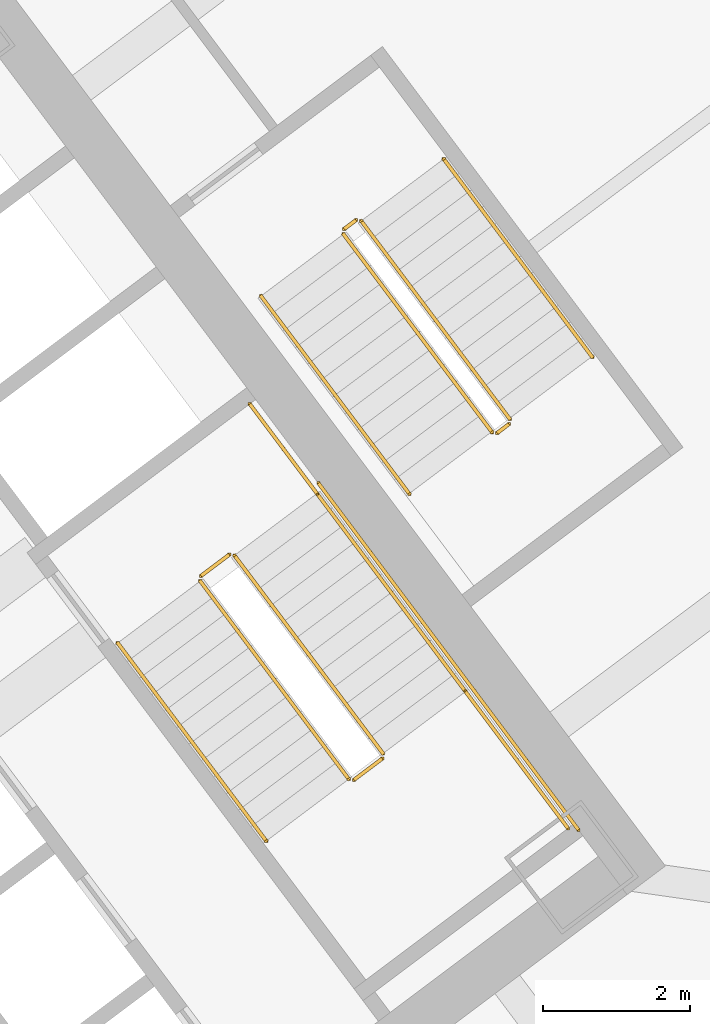
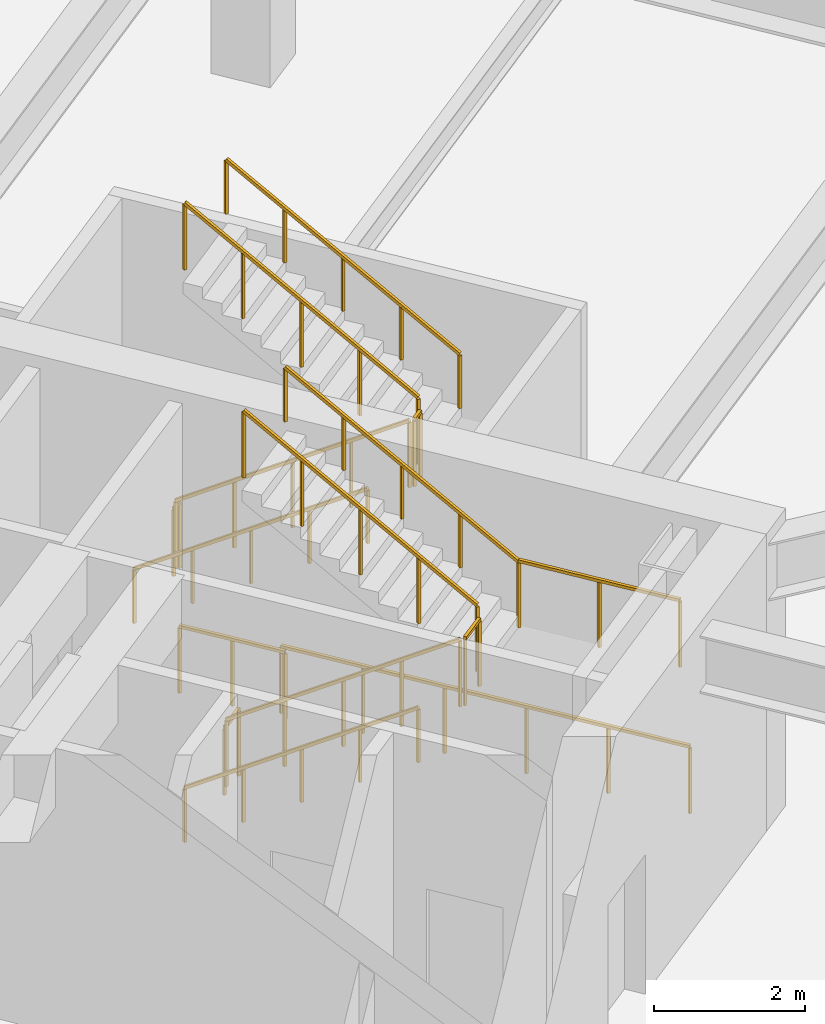
# One storey, part 20 of 21: 15 railings.
"""IFC4 building model written with IfcOpenShell, lengths in metres."""

from ifc_helpers import new_model, si_unit, direction, frame, origin, origin_2d, place, context, subcontext, project, spatial, rectangle, extrude, material, type_object, element, save


model = new_model("IFC4")

# Units and contexts
model_context = context("Model", 3, precision=1e-05, world=origin(), true_north=direction((0.0, 1.0)))
body_context = subcontext(model_context, "Body", "Model", "MODEL_VIEW")
ifc_project = project(units=[si_unit("LENGTHUNIT", "METRE"), si_unit("AREAUNIT", "SQUARE_METRE"), si_unit("VOLUMEUNIT", "CUBIC_METRE"), si_unit("PLANEANGLEUNIT", "RADIAN"), si_unit("MASSUNIT", "GRAM", prefix="KILO")], contexts=[model_context])

# Site, building, storey
site_placement = place(None, origin())
site = spatial("IfcSite", under=ifc_project, at=site_placement, CompositionType="ELEMENT")
building_placement = place(site_placement, origin())
building = spatial("IfcBuilding", under=site, at=building_placement, Name="Tashvorn Skyway Center", CompositionType="ELEMENT")
storey_placement = place(building_placement, frame((0.0, 0.0, 19.800048828125)))
storey = spatial("IfcBuildingStorey", under=building, at=storey_placement, Name="L04", CompositionType="ELEMENT", Elevation=19.800048828125)

# Railings
ifc_material_1 = material(Name="Brushed stainless steel 316", Category="steel")
railing_type_1 = type_object("IfcRailingType", Name="RAIL-HAND-920", PredefinedType="HANDRAIL", material=ifc_material_1)
railing_1_placement = place(storey_placement, frame((117.7119140625, 33.634033203125, 0.1845703125)))
element("IfcRailing", 1, at=railing_1_placement, inside=storey, type_object=railing_type_1, Name="L04 ST-T2-2 stair handrail 1", PredefinedType="HANDRAIL", context=body_context, shape_type="SweptSolid", body=[
    extrude(rectangle(XDim=0.048095703125, YDim=0.048095703125, at=origin_2d()), frame((0.0, 0.0, 0.8759765625), z_axis=(0.500943092104, -0.667883681771, 0.55044291811), x_axis=(0.79998256135, 0.600023250829, 0.0)), (0.0, 0.0, 1.0), 4.024658203125),
    extrude(rectangle(XDim=0.0419921875, YDim=0.0419921875, at=origin_2d()), origin(), (0.0, 0.0, 1.0), 0.851806640625),
    extrude(rectangle(XDim=0.0419921875, YDim=0.0419921875, at=origin_2d()), frame((0.50390625, -0.671875, 0.5537109375)), (0.0, 0.0, 1.0), 0.851806640625),
    extrude(rectangle(XDim=0.0419921875, YDim=0.0419921875, at=origin_2d()), frame((1.008056640625, -1.343994140625, 1.107666015625)), (0.0, 0.0, 1.0), 0.851806640625),
    extrude(rectangle(XDim=0.0419921875, YDim=0.0419921875, at=origin_2d()), frame((1.51220703125, -2.01611328125, 1.66162109375)), (0.0, 0.0, 1.0), 0.851806640625),
    extrude(rectangle(XDim=0.0419921875, YDim=0.0419921875, at=origin_2d()), frame((2.01611328125, -2.68798828125, 2.21533203125)), (0.0, 0.0, 1.0), 0.851806640625),
])
railing_2_placement = place(storey_placement, frame((122.431884765625, 32.97412109375, 2.58447265625)))
element("IfcRailing", 2, at=railing_2_placement, inside=storey, type_object=railing_type_1, Name="L04 ST-T2-2 stair handrail 2", PredefinedType="HANDRAIL", context=body_context, shape_type="SweptSolid", body=[
    extrude(rectangle(XDim=0.048095703125, YDim=0.048095703125, at=origin_2d()), frame((0.0, 0.0, 0.8759765625), z_axis=(-0.500880924698, 0.667881673844, 0.550501924626), x_axis=(-0.800017438734, -0.59997674765, 0.0)), (0.0, 0.0, 1.0), 4.024658203125),
    extrude(rectangle(XDim=0.0419921875, YDim=0.0419921875, at=origin_2d()), origin(), (0.0, 0.0, 1.0), 0.851806640625),
    extrude(rectangle(XDim=0.0419921875, YDim=0.0419921875, at=origin_2d()), frame((-0.50390625, 0.671875, 0.553955078125)), (0.0, 0.0, 1.0), 0.851806640625),
    extrude(rectangle(XDim=0.0419921875, YDim=0.0419921875, at=origin_2d()), frame((-1.0078125, 1.343994140625, 1.10791015625)), (0.0, 0.0, 1.0), 0.851806640625),
    extrude(rectangle(XDim=0.0419921875, YDim=0.0419921875, at=origin_2d()), frame((-1.511962890625, 2.01611328125, 1.66162109375)), (0.0, 0.0, 1.0), 0.851806640625),
    extrude(rectangle(XDim=0.0419921875, YDim=0.0419921875, at=origin_2d()), frame((-2.015869140625, 2.68798828125, 2.215576171875)), (0.0, 0.0, 1.0), 0.851806640625),
])
railing_3_placement = place(storey_placement, frame((119.656005859375, 38.342041015625, 0.1845703125)))
element("IfcRailing", 3, at=railing_3_placement, inside=storey, type_object=railing_type_1, Name="L04 ST-T2-3 stair handrail 1", PredefinedType="HANDRAIL", context=body_context, shape_type="SweptSolid", body=[
    extrude(rectangle(XDim=0.048095703125, YDim=0.048095703125, at=origin_2d()), frame((0.0, 0.0, 0.8759765625), z_axis=(0.500943092104, -0.667883681771, 0.55044291811), x_axis=(0.79998256135, 0.600023250829, 0.0)), (0.0, 0.0, 1.0), 4.024658203125),
    extrude(rectangle(XDim=0.0419921875, YDim=0.0419921875, at=origin_2d()), origin(), (0.0, 0.0, 1.0), 0.851806640625),
    extrude(rectangle(XDim=0.0419921875, YDim=0.0419921875, at=origin_2d()), frame((0.50390625, -0.671875, 0.5537109375)), (0.0, 0.0, 1.0), 0.851806640625),
    extrude(rectangle(XDim=0.0419921875, YDim=0.0419921875, at=origin_2d()), frame((1.008056640625, -1.343994140625, 1.107666015625)), (0.0, 0.0, 1.0), 0.851806640625),
    extrude(rectangle(XDim=0.0419921875, YDim=0.0419921875, at=origin_2d()), frame((1.51220703125, -2.01611328125, 1.66162109375)), (0.0, 0.0, 1.0), 0.851806640625),
    extrude(rectangle(XDim=0.0419921875, YDim=0.0419921875, at=origin_2d()), frame((2.01611328125, -2.68798828125, 2.21533203125)), (0.0, 0.0, 1.0), 0.851806640625),
])
railing_4_placement = place(storey_placement, frame((124.152099609375, 37.513916015625, 2.58447265625)))
element("IfcRailing", 4, at=railing_4_placement, inside=storey, type_object=railing_type_1, Name="L04 ST-T2-3 stair handrail 2", PredefinedType="HANDRAIL", context=body_context, shape_type="SweptSolid", body=[
    extrude(rectangle(XDim=0.048095703125, YDim=0.048095703125, at=origin_2d()), frame((0.0, 0.0, 0.8759765625), z_axis=(-0.500926365169, 0.667861380541, 0.550485197858), x_axis=(-0.79998256135, -0.600023250829, 0.0)), (0.0, 0.0, 1.0), 4.024658203125),
    extrude(rectangle(XDim=0.0419921875, YDim=0.0419921875, at=origin_2d()), origin(), (0.0, 0.0, 1.0), 0.851806640625),
    extrude(rectangle(XDim=0.0419921875, YDim=0.0419921875, at=origin_2d()), frame((-0.50390625, 0.671875, 0.553955078125)), (0.0, 0.0, 1.0), 0.851806640625),
    extrude(rectangle(XDim=0.0419921875, YDim=0.0419921875, at=origin_2d()), frame((-1.008056640625, 1.343994140625, 1.10791015625)), (0.0, 0.0, 1.0), 0.851806640625),
    extrude(rectangle(XDim=0.0419921875, YDim=0.0419921875, at=origin_2d()), frame((-1.51220703125, 2.01611328125, 1.66162109375)), (0.0, 0.0, 1.0), 0.851806640625),
    extrude(rectangle(XDim=0.0419921875, YDim=0.0419921875, at=origin_2d()), frame((-2.01611328125, 2.68798828125, 2.215576171875)), (0.0, 0.0, 1.0), 0.851806640625),
])
ifc_material_2 = material(Name="Painted galvanized steel S355", Category="steel")
railing_type_2 = type_object("IfcRailingType", Name="RAIL-STGUARD-1100", PredefinedType="GUARDRAIL", material=ifc_material_2)
railing_5_placement = place(storey_placement, frame((118.83203125, 34.47412109375, 0.1845703125)))
element("IfcRailing", 5, at=railing_5_placement, inside=storey, type_object=railing_type_2, Name="L04 ST-T2-2 stair guard 1", PredefinedType="GUARDRAIL", context=body_context, shape_type="SweptSolid", body=[
    extrude(rectangle(XDim=0.048095703125, YDim=0.048095703125, at=origin_2d()), frame((0.0, 0.0, 1.076171875), z_axis=(0.500877356413, -0.667937576778, 0.550437341902), x_axis=(0.800043593035, 0.599941871554, 0.0)), (0.0, 0.0, 1.0), 4.024658203125),
    extrude(rectangle(XDim=0.0419921875, YDim=0.0419921875, at=origin_2d()), origin(), (0.0, 0.0, 1.0), 1.052001953125),
    extrude(rectangle(XDim=0.0419921875, YDim=0.0419921875, at=origin_2d()), frame((0.50390625, -0.672119140625, 0.5537109375)), (0.0, 0.0, 1.0), 1.052001953125),
    extrude(rectangle(XDim=0.0419921875, YDim=0.0419921875, at=origin_2d()), frame((1.0078125, -1.34423828125, 1.107666015625)), (0.0, 0.0, 1.0), 1.052001953125),
    extrude(rectangle(XDim=0.0419921875, YDim=0.0419921875, at=origin_2d()), frame((1.511962890625, -2.01611328125, 1.66162109375)), (0.0, 0.0, 1.0), 1.052001953125),
    extrude(rectangle(XDim=0.0419921875, YDim=0.0419921875, at=origin_2d()), frame((2.015869140625, -2.688232421875, 2.21533203125)), (0.0, 0.0, 1.0), 1.052001953125),
])
railing_6_placement = place(storey_placement, frame((120.91796875, 31.77587890625, 2.39990234375)))
element("IfcRailing", 6, at=railing_6_placement, inside=storey, type_object=railing_type_2, Name="L04 ST-T2-2 stair guard 2", PredefinedType="GUARDRAIL", context=body_context, shape_type="SweptSolid", body=[
    extrude(rectangle(XDim=0.048095703125, YDim=0.048095703125, at=origin_2d()), frame((0.0, 0.0, 1.076171875), z_axis=(0.799938970639, 0.600081363861, 0.0), x_axis=(-0.600081363861, 0.799938970639, 0.0)), (0.0, 0.0, 1.0), 0.47998046875),
    extrude(rectangle(XDim=0.0419921875, YDim=0.0419921875, at=origin_2d()), origin(), (0.0, 0.0, 1.0), 1.052001953125),
    extrude(rectangle(XDim=0.0419921875, YDim=0.0419921875, at=origin_2d()), frame((0.384033203125, 0.2880859375, 0.0)), (0.0, 0.0, 1.0), 1.052001953125),
])
railing_7_placement = place(storey_placement, frame((122.431884765625, 32.97412109375, 2.39990234375)))
element("IfcRailing", 7, at=railing_7_placement, inside=storey, type_object=railing_type_2, Name="L04 ST-T2-2 stair guard 3", PredefinedType="GUARDRAIL", context=body_context, shape_type="SweptSolid", body=[
    extrude(rectangle(XDim=0.048095703125, YDim=0.048095703125, at=origin_2d()), frame((0.0, 0.0, 1.076171875), z_axis=(0.599983164142, -0.800012626617, 0.0), x_axis=(0.800012626617, 0.599983164142, 0.0)), (0.0, 0.0, 1.0), 2.3203125),
    extrude(rectangle(XDim=0.0419921875, YDim=0.0419921875, at=origin_2d()), origin(), (0.0, 0.0, 1.0), 1.052001953125),
    extrude(rectangle(XDim=0.0419921875, YDim=0.0419921875, at=origin_2d()), frame((0.696044921875, -0.92822265625, 0.0)), (0.0, 0.0, 1.0), 1.052001953125),
    extrude(rectangle(XDim=0.0419921875, YDim=0.0419921875, at=origin_2d()), frame((1.39208984375, -1.856201171875, 0.0)), (0.0, 0.0, 1.0), 1.052001953125),
])
railing_8_placement = place(storey_placement, frame((121.31201171875, 32.134033203125, 2.58447265625)))
element("IfcRailing", 8, at=railing_8_placement, inside=storey, type_object=railing_type_2, Name="L04 ST-T2-2 stair guard 4", PredefinedType="GUARDRAIL", context=body_context, shape_type="SweptSolid", body=[
    extrude(rectangle(XDim=0.048095703125, YDim=0.048095703125, at=origin_2d()), frame((0.0, 0.0, 1.076171875), z_axis=(-0.500926365169, 0.667861380541, 0.550485197858), x_axis=(-0.79998256135, -0.600023250829, 0.0)), (0.0, 0.0, 1.0), 4.024658203125),
    extrude(rectangle(XDim=0.0419921875, YDim=0.0419921875, at=origin_2d()), origin(), (0.0, 0.0, 1.0), 1.052001953125),
    extrude(rectangle(XDim=0.0419921875, YDim=0.0419921875, at=origin_2d()), frame((-0.50390625, 0.671875, 0.553955078125)), (0.0, 0.0, 1.0), 1.052001953125),
    extrude(rectangle(XDim=0.0419921875, YDim=0.0419921875, at=origin_2d()), frame((-1.008056640625, 1.343994140625, 1.10791015625)), (0.0, 0.0, 1.0), 1.052001953125),
    extrude(rectangle(XDim=0.0419921875, YDim=0.0419921875, at=origin_2d()), frame((-1.51220703125, 2.01611328125, 1.66162109375)), (0.0, 0.0, 1.0), 1.052001953125),
    extrude(rectangle(XDim=0.0419921875, YDim=0.0419921875, at=origin_2d()), frame((-2.01611328125, 2.68798828125, 2.215576171875)), (0.0, 0.0, 1.0), 1.052001953125),
])
railing_9_placement = place(storey_placement, frame((118.842041015625, 34.5439453125, 0.0)))
element("IfcRailing", 9, at=railing_9_placement, inside=storey, type_object=railing_type_2, Name="L04 ST-T2-2 stair guard 5", PredefinedType="GUARDRAIL", context=body_context, shape_type="SweptSolid", body=[
    extrude(rectangle(XDim=0.048095703125, YDim=0.048095703125, at=origin_2d()), frame((0.0, 0.0, 1.076171875), z_axis=(0.799938970639, 0.600081363861, 0.0), x_axis=(-0.600081363861, 0.799938970639, 0.0)), (0.0, 0.0, 1.0), 0.47998046875),
    extrude(rectangle(XDim=0.0419921875, YDim=0.0419921875, at=origin_2d()), origin(), (0.0, 0.0, 1.0), 1.052001953125),
    extrude(rectangle(XDim=0.0419921875, YDim=0.0419921875, at=origin_2d()), frame((0.384033203125, 0.2880859375, 0.0)), (0.0, 0.0, 1.0), 1.052001953125),
])
railing_10_placement = place(storey_placement, frame((119.50390625, 36.8779296875, 0.0)))
element("IfcRailing", 10, at=railing_10_placement, inside=storey, type_object=railing_type_2, Name="L04 ST-T2-2 stair guard 6", PredefinedType="GUARDRAIL", context=body_context, shape_type="SweptSolid", body=[
    extrude(rectangle(XDim=0.048095703125, YDim=0.048095703125, at=origin_2d()), frame((0.0, 0.0, 1.076171875), z_axis=(0.600102796382, -0.799922892393, 0.0), x_axis=(0.799922892393, 0.600102796382, 0.0)), (0.0, 0.0, 1.0), 1.52001953125),
    extrude(rectangle(XDim=0.0419921875, YDim=0.0419921875, at=origin_2d()), origin(), (0.0, 0.0, 1.0), 1.052001953125),
    extrude(rectangle(XDim=0.0419921875, YDim=0.0419921875, at=origin_2d()), frame((0.4560546875, -0.60791015625, 0.0)), (0.0, 0.0, 1.0), 1.052001953125),
    extrude(rectangle(XDim=0.0419921875, YDim=0.0419921875, at=origin_2d()), frame((0.912109375, -1.2158203125, 0.0)), (0.0, 0.0, 1.0), 1.052001953125),
])
railing_11_placement = place(storey_placement, frame((120.43603515625, 35.802001953125, 0.0)))
element("IfcRailing", 11, at=railing_11_placement, inside=storey, type_object=railing_type_2, Name="L04 ST-T2-2 stair guard 7", PredefinedType="GUARDRAIL", context=body_context, shape_type="SweptSolid", body=[
    extrude(rectangle(XDim=0.048095703125, YDim=0.048095703125, at=origin_2d()), frame((0.0, 0.0, 1.076171875), z_axis=(0.6, -0.8, 0.0), x_axis=(0.8, 0.6, 0.0)), (0.0, 0.0, 1.0), 5.880126953125),
    extrude(rectangle(XDim=0.0419921875, YDim=0.0419921875, at=origin_2d()), origin(), (0.0, 0.0, 1.0), 1.052001953125),
    extrude(rectangle(XDim=0.0419921875, YDim=0.0419921875, at=origin_2d()), frame((0.70556640625, -0.94091796875, 0.0)), (0.0, 0.0, 1.0), 1.052001953125),
    extrude(rectangle(XDim=0.0419921875, YDim=0.0419921875, at=origin_2d()), frame((1.4111328125, -1.881591796875, 0.0)), (0.0, 0.0, 1.0), 1.052001953125),
    extrude(rectangle(XDim=0.0419921875, YDim=0.0419921875, at=origin_2d()), frame((2.116943359375, -2.822509765625, 0.0)), (0.0, 0.0, 1.0), 1.052001953125),
    extrude(rectangle(XDim=0.0419921875, YDim=0.0419921875, at=origin_2d()), frame((2.822509765625, -3.76318359375, 0.0)), (0.0, 0.0, 1.0), 1.052001953125),
    extrude(rectangle(XDim=0.0419921875, YDim=0.0419921875, at=origin_2d()), frame((3.528076171875, -4.7041015625, 0.0)), (0.0, 0.0, 1.0), 1.052001953125),
])
railing_12_placement = place(storey_placement, frame((120.77587890625, 39.181884765625, 0.1845703125)))
element("IfcRailing", 12, at=railing_12_placement, inside=storey, type_object=railing_type_2, Name="L04 ST-T2-3 stair guard 1", PredefinedType="GUARDRAIL", context=body_context, shape_type="SweptSolid", body=[
    extrude(rectangle(XDim=0.048095703125, YDim=0.048095703125, at=origin_2d()), frame((0.0, 0.0, 1.076171875), z_axis=(0.500943092104, -0.667883681771, 0.55044291811), x_axis=(0.79998256135, 0.600023250829, 0.0)), (0.0, 0.0, 1.0), 4.024658203125),
    extrude(rectangle(XDim=0.0419921875, YDim=0.0419921875, at=origin_2d()), origin(), (0.0, 0.0, 1.0), 1.052001953125),
    extrude(rectangle(XDim=0.0419921875, YDim=0.0419921875, at=origin_2d()), frame((0.50390625, -0.671875, 0.5537109375)), (0.0, 0.0, 1.0), 1.052001953125),
    extrude(rectangle(XDim=0.0419921875, YDim=0.0419921875, at=origin_2d()), frame((1.008056640625, -1.343994140625, 1.107666015625)), (0.0, 0.0, 1.0), 1.052001953125),
    extrude(rectangle(XDim=0.0419921875, YDim=0.0419921875, at=origin_2d()), frame((1.51220703125, -2.01611328125, 1.66162109375)), (0.0, 0.0, 1.0), 1.052001953125),
    extrude(rectangle(XDim=0.0419921875, YDim=0.0419921875, at=origin_2d()), frame((2.01611328125, -2.68798828125, 2.21533203125)), (0.0, 0.0, 1.0), 1.052001953125),
])
railing_13_placement = place(storey_placement, frame((122.862060546875, 36.48388671875, 2.39990234375)))
element("IfcRailing", 13, at=railing_13_placement, inside=storey, type_object=railing_type_2, Name="L04 ST-T2-3 stair guard 2", PredefinedType="GUARDRAIL", context=body_context, shape_type="SweptSolid", body=[
    extrude(rectangle(XDim=0.048095703125, YDim=0.048095703125, at=origin_2d()), frame((0.0, 0.0, 1.076171875), z_axis=(0.799560332416, 0.60058577641, 0.0), x_axis=(-0.60058577641, 0.799560332416, 0.0)), (0.0, 0.0, 1.0), 0.199951171875),
    extrude(rectangle(XDim=0.0419921875, YDim=0.0419921875, at=origin_2d()), origin(), (0.0, 0.0, 1.0), 1.052001953125),
    extrude(rectangle(XDim=0.0419921875, YDim=0.0419921875, at=origin_2d()), frame((0.159912109375, 0.1201171875, 0.0)), (0.0, 0.0, 1.0), 1.052001953125),
])
railing_14_placement = place(storey_placement, frame((123.031982421875, 36.674072265625, 2.58447265625)))
element("IfcRailing", 14, at=railing_14_placement, inside=storey, type_object=railing_type_2, Name="L04 ST-T2-3 stair guard 3", PredefinedType="GUARDRAIL", context=body_context, shape_type="SweptSolid", body=[
    extrude(rectangle(XDim=0.048095703125, YDim=0.048095703125, at=origin_2d()), frame((0.0, 0.0, 1.076171875), z_axis=(-0.500880924698, 0.667881673844, 0.550501924626), x_axis=(-0.800017438734, -0.59997674765, 0.0)), (0.0, 0.0, 1.0), 4.024658203125),
    extrude(rectangle(XDim=0.0419921875, YDim=0.0419921875, at=origin_2d()), origin(), (0.0, 0.0, 1.0), 1.052001953125),
    extrude(rectangle(XDim=0.0419921875, YDim=0.0419921875, at=origin_2d()), frame((-0.50390625, 0.671875, 0.553955078125)), (0.0, 0.0, 1.0), 1.052001953125),
    extrude(rectangle(XDim=0.0419921875, YDim=0.0419921875, at=origin_2d()), frame((-1.0078125, 1.343994140625, 1.10791015625)), (0.0, 0.0, 1.0), 1.052001953125),
    extrude(rectangle(XDim=0.0419921875, YDim=0.0419921875, at=origin_2d()), frame((-1.511962890625, 2.01611328125, 1.66162109375)), (0.0, 0.0, 1.0), 1.052001953125),
    extrude(rectangle(XDim=0.0419921875, YDim=0.0419921875, at=origin_2d()), frame((-2.015869140625, 2.68798828125, 2.215576171875)), (0.0, 0.0, 1.0), 1.052001953125),
])
railing_15_placement = place(storey_placement, frame((120.785888671875, 39.251953125, 0.0)))
element("IfcRailing", 15, at=railing_15_placement, inside=storey, type_object=railing_type_2, Name="L04 ST-T2-3 stair guard 4", PredefinedType="GUARDRAIL", context=body_context, shape_type="SweptSolid", body=[
    extrude(rectangle(XDim=0.048095703125, YDim=0.048095703125, at=origin_2d()), frame((0.0, 0.0, 1.076171875), z_axis=(0.8, 0.6, 0.0), x_axis=(-0.6, 0.8, 0.0)), (0.0, 0.0, 1.0), 0.2001953125),
    extrude(rectangle(XDim=0.0419921875, YDim=0.0419921875, at=origin_2d()), origin(), (0.0, 0.0, 1.0), 1.052001953125),
    extrude(rectangle(XDim=0.0419921875, YDim=0.0419921875, at=origin_2d()), frame((0.16015625, 0.1201171875, 0.0)), (0.0, 0.0, 1.0), 1.052001953125),
])

save(model, "model.ifc")
